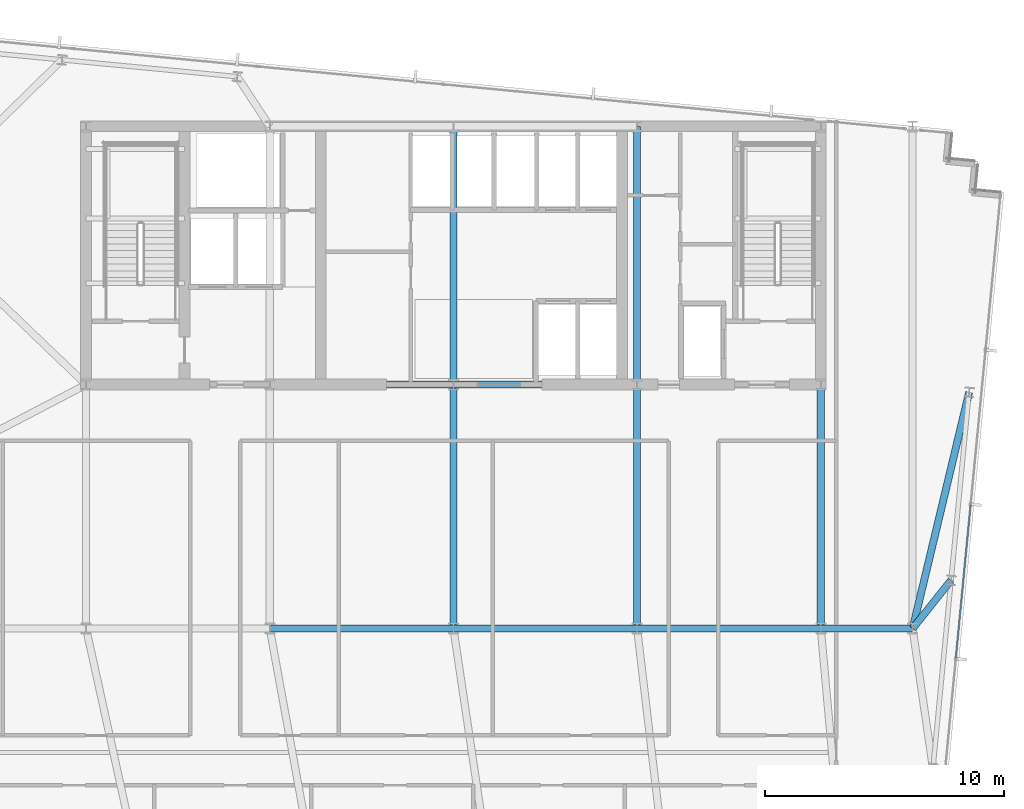
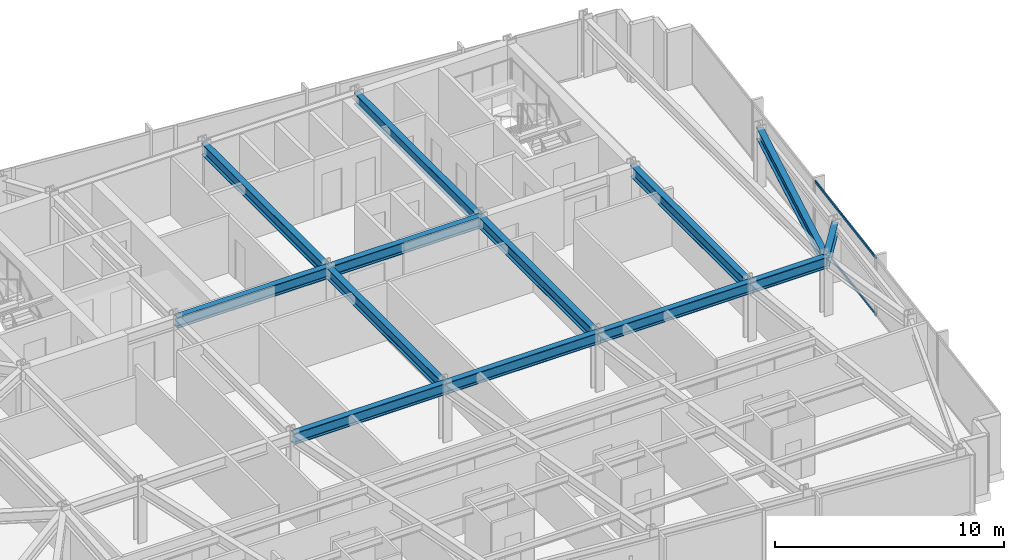
# One storey, part 17 of 37: 13 beams, 2 members, 1 element without a shape of its own.
"""IFC4 building model written with IfcOpenShell, lengths in metres."""

from ifc_helpers import new_model, si_unit, direction, frame, origin, origin_2d, place, context, subcontext, project, spatial, hollow_rectangle, i_section, extrude, material, material_profile, profile_set, type_object, element, aggregate, save


model = new_model("IFC4")

# Units and contexts
model_context = context("Model", 3, precision=1e-05, world=origin(), true_north=direction((0.0, 1.0)))
body_context = subcontext(model_context, "Body", "Model", "MODEL_VIEW")
ifc_project = project(units=[si_unit("LENGTHUNIT", "METRE"), si_unit("AREAUNIT", "SQUARE_METRE"), si_unit("VOLUMEUNIT", "CUBIC_METRE"), si_unit("PLANEANGLEUNIT", "RADIAN"), si_unit("MASSUNIT", "GRAM", prefix="KILO")], contexts=[model_context])

# Site, building, storey
site_placement = place(None, origin())
site = spatial("IfcSite", under=ifc_project, at=site_placement, CompositionType="ELEMENT")
building_placement = place(site_placement, origin())
building = spatial("IfcBuilding", under=site, at=building_placement, Name="Yelkora Congress Tower", CompositionType="ELEMENT")
storey_placement = place(building_placement, frame((0.0, 0.0, 149.0)))
storey = spatial("IfcBuildingStorey", under=building, at=storey_placement, Name="L40", CompositionType="ELEMENT", Elevation=149.0)

# Beams
ifc_material_1 = material(Name="Steel S355J2", Category="steel")
ifc_material_profile_1 = material_profile(ifc_material_1, i_section(OverallWidth=0.300048828125, OverallDepth=0.60009765625, WebThickness=0.015380859375, FlangeThickness=0.030029296875, FilletRadius=0.027099609375, at=origin_2d()), Name="HEB 600")
ifc_profile_set_1 = profile_set([ifc_material_profile_1], Name="Steel S355J2")
beam_type = type_object("IfcBeamType", Name="BM-GIRD-HEB600", PredefinedType="BEAM", material=ifc_profile_set_1)
beam_1_placement = place(storey_placement, frame((30.719970703125, 25.199951171875, 2.780029296875), z_axis=(1.0, 0.0, 0.0), x_axis=(0.0, 1.0, 0.0)))
element("IfcBeam", 1, at=beam_1_placement, inside=storey, type_object=beam_type, Name="L40 Spine Grid D Girder 3", PredefinedType="BEAM", context=body_context, shape_type="SweptSolid", body=[
    extrude(i_section(OverallWidth=0.300048828125, OverallDepth=0.60009765625, WebThickness=0.015380859375, FlangeThickness=0.030029296875, FilletRadius=0.027099609375, at=origin_2d()), origin(), (0.0, 0.0, 1.0), 7.679931640625),
])
beam_2_placement = place(storey_placement, frame((38.39990234375, 25.199951171875, 2.780029296875), z_axis=(1.0, 0.0, 0.0), x_axis=(0.0, 1.0, 0.0)))
element("IfcBeam", 2, at=beam_2_placement, inside=storey, type_object=beam_type, Name="L40 Spine Grid D Girder 4", PredefinedType="BEAM", context=body_context, shape_type="SweptSolid", body=[
    extrude(i_section(OverallWidth=0.300048828125, OverallDepth=0.60009765625, WebThickness=0.015380859375, FlangeThickness=0.030029296875, FilletRadius=0.027099609375, at=origin_2d()), origin(), (0.0, 0.0, 1.0), 7.68017578125),
])
beam_3_placement = place(storey_placement, frame((46.080078125, 25.199951171875, 2.780029296875), z_axis=(1.0, 0.0, 0.0), x_axis=(0.0, 1.0, 0.0)))
element("IfcBeam", 3, at=beam_3_placement, inside=storey, type_object=beam_type, Name="L40 Spine Grid D Girder 5", PredefinedType="BEAM", context=body_context, shape_type="SweptSolid", body=[
    extrude(i_section(OverallWidth=0.300048828125, OverallDepth=0.60009765625, WebThickness=0.015380859375, FlangeThickness=0.030029296875, FilletRadius=0.027099609375, at=origin_2d()), origin(), (0.0, 0.0, 1.0), 7.679931640625),
])
beam_4_placement = place(storey_placement, frame((53.760009765625, 25.199951171875, 2.780029296875), z_axis=(1.0, 0.0, 0.0), x_axis=(0.0, 1.0, 0.0)))
element("IfcBeam", 4, at=beam_4_placement, inside=storey, type_object=beam_type, Name="L40 Spine Grid D Girder 6", PredefinedType="BEAM", context=body_context, shape_type="SweptSolid", body=[
    extrude(i_section(OverallWidth=0.300048828125, OverallDepth=0.60009765625, WebThickness=0.015380859375, FlangeThickness=0.030029296875, FilletRadius=0.027099609375, at=origin_2d()), origin(), (0.0, 0.0, 1.0), 3.840087890625),
])
beam_5_placement = place(storey_placement, frame((30.719970703125, 35.39990234375, 2.780029296875), z_axis=(1.0, 0.0, 0.0), x_axis=(0.0, 1.0, 0.0)))
element("IfcBeam", 5, at=beam_5_placement, inside=storey, type_object=beam_type, Name="L40 Core South Girder 2", PredefinedType="BEAM", context=body_context, shape_type="SweptSolid", body=[
    extrude(i_section(OverallWidth=0.300048828125, OverallDepth=0.60009765625, WebThickness=0.015380859375, FlangeThickness=0.030029296875, FilletRadius=0.027099609375, at=origin_2d()), origin(), (0.0, 0.0, 1.0), 7.679931640625),
])
beam_6_placement = place(storey_placement, frame((38.39990234375, 35.39990234375, 2.780029296875), z_axis=(1.0, 0.0, 0.0), x_axis=(0.0, 1.0, 0.0)))
element("IfcBeam", 6, at=beam_6_placement, inside=storey, type_object=beam_type, Name="L40 Core South Girder 3", PredefinedType="BEAM", context=body_context, shape_type="SweptSolid", body=[
    extrude(i_section(OverallWidth=0.300048828125, OverallDepth=0.60009765625, WebThickness=0.015380859375, FlangeThickness=0.030029296875, FilletRadius=0.027099609375, at=origin_2d()), origin(), (0.0, 0.0, 1.0), 7.68017578125),
])
beam_7_placement = place(storey_placement, frame((38.39990234375, 25.199951171875, 2.780029296875), z_axis=(0.0, 1.0, 0.0), x_axis=(-1.0, 0.0, 0.0)))
element("IfcBeam", 7, at=beam_7_placement, inside=storey, type_object=beam_type, Name="L40 Core Tie Girder MC-D3", PredefinedType="BEAM", context=body_context, shape_type="SweptSolid", body=[
    extrude(i_section(OverallWidth=0.300048828125, OverallDepth=0.60009765625, WebThickness=0.015380859375, FlangeThickness=0.030029296875, FilletRadius=0.027099609375, at=origin_2d()), origin(), (0.0, 0.0, 1.0), 10.199951171875),
])
beam_8_placement = place(storey_placement, frame((38.39990234375, 35.39990234375, 2.780029296875), z_axis=(0.0, 1.0, 0.0), x_axis=(-1.0, 0.0, 0.0)))
element("IfcBeam", 8, at=beam_8_placement, inside=storey, type_object=beam_type, Name="L40 Core Tie Girder MC-S3", PredefinedType="BEAM", context=body_context, shape_type="SweptSolid", body=[
    extrude(i_section(OverallWidth=0.300048828125, OverallDepth=0.60009765625, WebThickness=0.015380859375, FlangeThickness=0.030029296875, FilletRadius=0.027099609375, at=origin_2d()), origin(), (0.0, 0.0, 1.0), 10.800048828125),
])
beam_9_placement = place(storey_placement, frame((46.080078125, 25.199951171875, 2.780029296875), z_axis=(0.0, 1.0, 0.0), x_axis=(-1.0, 0.0, 0.0)))
element("IfcBeam", 9, at=beam_9_placement, inside=storey, type_object=beam_type, Name="L40 Core Tie Girder MC-D4", PredefinedType="BEAM", context=body_context, shape_type="SweptSolid", body=[
    extrude(i_section(OverallWidth=0.300048828125, OverallDepth=0.60009765625, WebThickness=0.015380859375, FlangeThickness=0.030029296875, FilletRadius=0.027099609375, at=origin_2d()), origin(), (0.0, 0.0, 1.0), 10.199951171875),
])
beam_10_placement = place(storey_placement, frame((46.080078125, 35.39990234375, 2.780029296875), z_axis=(0.0, 1.0, 0.0), x_axis=(-1.0, 0.0, 0.0)))
element("IfcBeam", 10, at=beam_10_placement, inside=storey, type_object=beam_type, Name="L40 Core Tie Girder MC-S4", PredefinedType="BEAM", context=body_context, shape_type="SweptSolid", body=[
    extrude(i_section(OverallWidth=0.300048828125, OverallDepth=0.60009765625, WebThickness=0.015380859375, FlangeThickness=0.030029296875, FilletRadius=0.027099609375, at=origin_2d()), origin(), (0.0, 0.0, 1.0), 10.800048828125),
])
beam_11_placement = place(storey_placement, frame((53.760009765625, 25.199951171875, 2.780029296875), z_axis=(0.0, 1.0, 0.0), x_axis=(-1.0, 0.0, 0.0)))
element("IfcBeam", 11, at=beam_11_placement, inside=storey, type_object=beam_type, Name="L40 Core Tie Girder MC-D5", PredefinedType="BEAM", context=body_context, shape_type="SweptSolid", body=[
    extrude(i_section(OverallWidth=0.300048828125, OverallDepth=0.60009765625, WebThickness=0.015380859375, FlangeThickness=0.030029296875, FilletRadius=0.027099609375, at=origin_2d()), origin(), (0.0, 0.0, 1.0), 10.199951171875),
])
beam_12_placement = place(storey_placement, frame((59.206298828125, 27.217529296875, 2.780029296875), z_axis=(-0.622834511353, -0.782353610248, 0.0), x_axis=(0.782353610248, -0.622834511353, 0.0)))
element("IfcBeam", 12, at=beam_12_placement, inside=storey, type_object=beam_type, Name="L40 Primary Frame Girder E02", PredefinedType="BEAM", context=body_context, shape_type="SweptSolid", body=[
    extrude(i_section(OverallWidth=0.300048828125, OverallDepth=0.60009765625, WebThickness=0.015380859375, FlangeThickness=0.030029296875, FilletRadius=0.027099609375, at=origin_2d()), origin(), (0.0, 0.0, 1.0), 2.578857421875),
])
beam_13_placement = place(storey_placement, frame((59.96337890625, 35.0810546875, 2.780029296875), z_axis=(-0.23261126158, -0.972569792347, 0.0), x_axis=(0.972569792347, -0.23261126158, 0.0)))
element("IfcBeam", 13, at=beam_13_placement, inside=storey, type_object=beam_type, Name="L40 Primary Frame Girder E03", PredefinedType="BEAM", context=body_context, shape_type="SweptSolid", body=[
    extrude(i_section(OverallWidth=0.300048828125, OverallDepth=0.60009765625, WebThickness=0.015380859375, FlangeThickness=0.030029296875, FilletRadius=0.027099609375, at=origin_2d()), origin(), (0.0, 0.0, 1.0), 10.15966796875),
])

# Curtain wall, members
ifc_material_2 = material(Name="Anodised aluminium and insulated glass", Category="aluminium")
curtain_wall_type = type_object("IfcCurtainWallType", Name="CW-SYS-B3", PredefinedType="NOTDEFINED", material=ifc_material_2)
curtain_wall_placement = place(storey_placement, origin())
curtain_wall = element("IfcCurtainWall", 14, at=curtain_wall_placement, inside=storey, type_object=curtain_wall_type, Name="L40 Unitised Curtain Wall 15", PredefinedType="NOTDEFINED")
ifc_material_3 = material(Name="Anodised aluminium 6063-T6", Category="aluminium")
ifc_material_profile_2 = material_profile(ifc_material_3, hollow_rectangle(XDim=0.06005859375, YDim=0.1298828125, WallThickness=0.00390625, at=origin_2d()), Name="ALU 60x130x4")
ifc_profile_set_2 = profile_set([ifc_material_profile_2], Name="Anodised aluminium 6063-T6")
member_type = type_object("IfcMemberType", Name="MEM-TR-B3", PredefinedType="USERDEFINED", material=ifc_profile_set_2)
member_1_placement = place(storey_placement, frame((60.021484375, 30.36083984375, 0.030029296875), z_axis=(-0.095843682057, -0.995396397728, 0.0), x_axis=(0.995396397728, -0.095843682057, 0.0)))
member_1 = element("IfcMember", 15, at=member_1_placement, type_object=member_type, Name="CW-B3 transom 3.1", ObjectType="TRANSOM", PredefinedType="USERDEFINED", context=body_context, shape_type="SweptSolid", body=[
    extrude(hollow_rectangle(XDim=0.06005859375, YDim=0.1298828125, WallThickness=0.00390625, at=origin_2d()), origin(), (0.0, 0.0, 1.0), 6.4140625),
])
member_2_placement = place(storey_placement, frame((60.021484375, 30.36083984375, 3.050048828125), z_axis=(-0.095843682057, -0.995396397728, 0.0), x_axis=(0.995396397728, -0.095843682057, 0.0)))
member_2 = element("IfcMember", 16, at=member_2_placement, type_object=member_type, Name="CW-B3 transom 3.2", ObjectType="TRANSOM", PredefinedType="USERDEFINED", context=body_context, shape_type="SweptSolid", body=[
    extrude(hollow_rectangle(XDim=0.06005859375, YDim=0.1298828125, WallThickness=0.00390625, at=origin_2d()), origin(), (0.0, 0.0, 1.0), 6.4140625),
])
aggregate(curtain_wall, [member_1, member_2])

save(model, "model.ifc")
